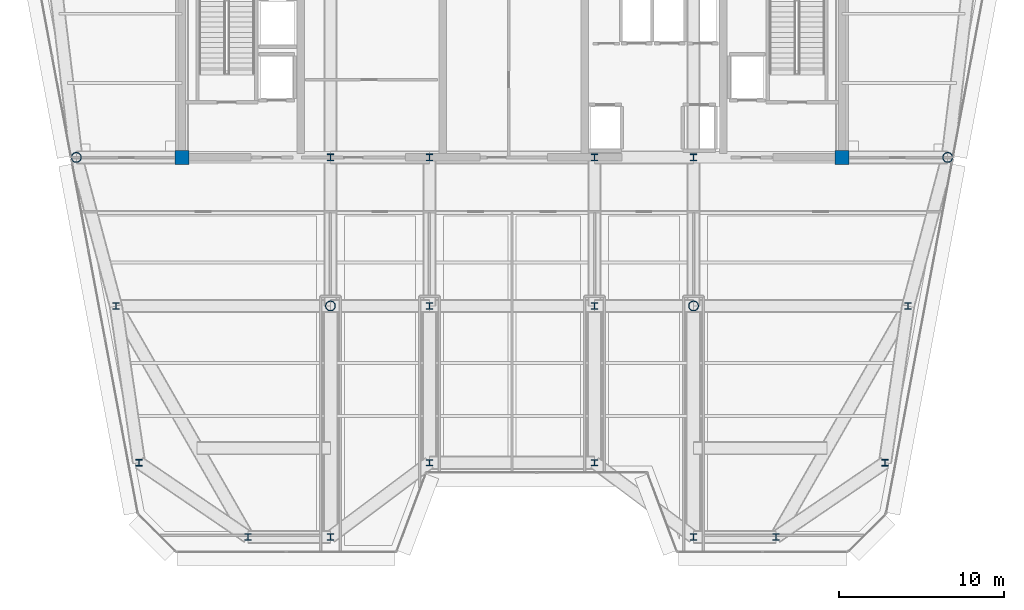
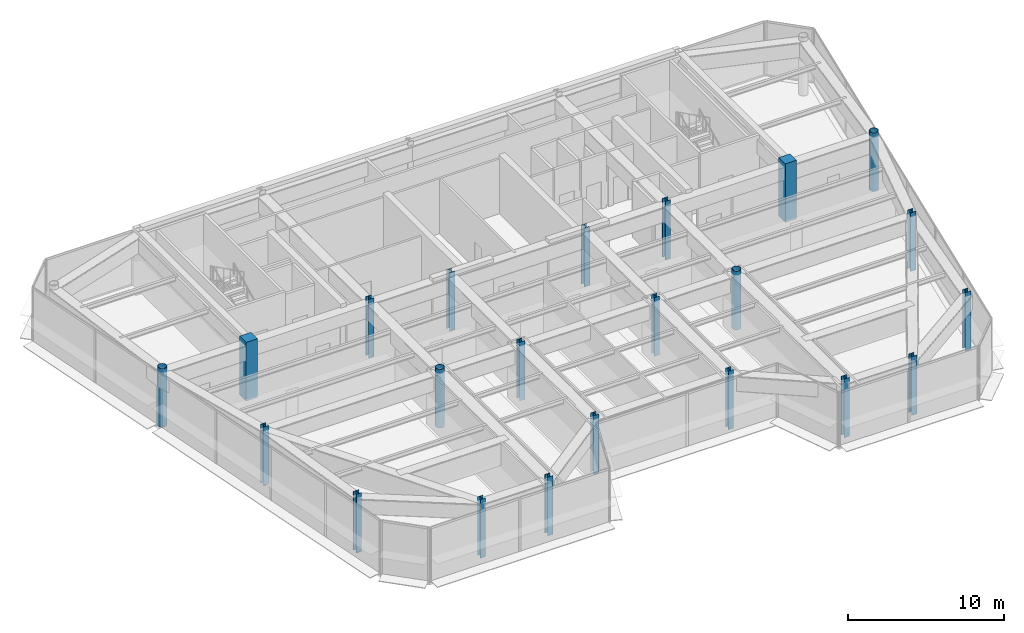
# One storey, part 1 of 20: 22 columns.
"""IFC4 building model written with IfcOpenShell, lengths in metres."""

from ifc_helpers import new_model, si_unit, direction, frame, origin, origin_2d, place, context, subcontext, project, spatial, rectangle, hollow_circle, i_section, extrude, source, transform, mapped, material, material_profile, profile_set, type_object, element, save


model = new_model("IFC4")

# Units and contexts
model_context = context("Model", 3, precision=1e-05, world=origin(), true_north=direction((0.0, 1.0)))
body_context = subcontext(model_context, "Body", "Model", "MODEL_VIEW")
ifc_project = project(units=[si_unit("LENGTHUNIT", "METRE"), si_unit("AREAUNIT", "SQUARE_METRE"), si_unit("VOLUMEUNIT", "CUBIC_METRE"), si_unit("PLANEANGLEUNIT", "RADIAN"), si_unit("MASSUNIT", "GRAM", prefix="KILO")], contexts=[model_context])

# Site, building, storey
site_placement = place(None, origin())
site = spatial("IfcSite", under=ifc_project, at=site_placement, CompositionType="ELEMENT")
building_placement = place(site_placement, origin())
building = spatial("IfcBuilding", under=site, at=building_placement, Name="Vaeldorn Concourse Tower", CompositionType="ELEMENT")
storey_placement = place(building_placement, frame((0.0, 0.0, 299.199951171875)))
storey = spatial("IfcBuildingStorey", under=building, at=storey_placement, Name="L77", CompositionType="ELEMENT", Elevation=299.199951171875)

# Columns
ifc_material_1 = material(Name="Concrete C50/60", Category="concrete")
ifc_material_profile_1 = material_profile(ifc_material_1, rectangle(XDim=0.85009765625, YDim=0.85009765625, at=origin_2d()), Name="RC 850x850")
ifc_profile_set_1 = profile_set([ifc_material_profile_1], Name="Concrete C50/60")
column_type_1 = type_object("IfcColumnType", Name="COL-RC850", PredefinedType="COLUMN", material=ifc_profile_set_1)
shared_shape_1 = source(origin(), body_context, "Body", "SweptSolid", [
    extrude(rectangle(XDim=0.85009765625, YDim=0.85009765625, at=origin_2d()), origin(), (0.0, 0.0, 1.0), 4.60009765625),
])
for number, where, z_axis, x_axis, name in (
    (1, (14.0, 36.5, 0.0), (0.0, 0.0, 1.0), (1.0, 0.0, 0.0), "Column C-FC1 L77"),
    (2, (54.0, 36.5, 0.0), (0.0, 0.0, 1.0), (1.0, 0.0, 0.0), "Column C-FC6 L77"),
):
    element("IfcColumn", number, at=place(storey_placement, frame(where, z_axis=z_axis, x_axis=x_axis)), inside=storey, type_object=column_type_1, Name=name, PredefinedType="COLUMN", context=body_context, shape_type="MappedRepresentation", body=[
        mapped(shared_shape_1, transform((0.0, 0.0, 0.0), scale=1.0)),
    ])
ifc_material_2 = material(Name="Steel S355", Category="steel")
ifc_material_profile_2 = material_profile(ifc_material_2, i_section(OverallWidth=0.406005859375, OverallDepth=0.416015625, WebThickness=0.02978515625, FlangeThickness=0.0419921875, FilletRadius=0.014892578125, at=origin_2d()), Name="HD 400x382")
ifc_profile_set_2 = profile_set([ifc_material_profile_2], Name="Steel S355")
column_type_2 = type_object("IfcColumnType", Name="COL-HD382", PredefinedType="COLUMN", material=ifc_profile_set_2)
shared_shape_2 = source(origin(), body_context, "Body", "SweptSolid", [
    extrude(i_section(OverallWidth=0.406005859375, OverallDepth=0.416015625, WebThickness=0.02978515625, FlangeThickness=0.0419921875, FilletRadius=0.014892578125, at=origin_2d()), origin(), (0.0, 0.0, 1.0), 4.60009765625),
])
for number, where, z_axis, x_axis, name in (
    (3, (23.0, 36.5, 0.0), (0.0, 0.0, 1.0), (1.0, 0.0, 0.0), "Column C-FC2 L77"),
    (4, (29.0, 36.5, 0.0), (0.0, 0.0, 1.0), (1.0, 0.0, 0.0), "Column C-FC3 L77"),
    (5, (39.0, 36.5, 0.0), (0.0, 0.0, 1.0), (1.0, 0.0, 0.0), "Column C-FC4 L77"),
    (6, (45.0, 36.5, 0.0), (0.0, 0.0, 1.0), (1.0, 0.0, 0.0), "Column C-FC5 L77"),
):
    element("IfcColumn", number, at=place(storey_placement, frame(where, z_axis=z_axis, x_axis=x_axis)), inside=storey, type_object=column_type_2, Name=name, PredefinedType="COLUMN", context=body_context, shape_type="MappedRepresentation", body=[
        mapped(shared_shape_2, transform((0.0, 0.0, 0.0), scale=1.0)),
    ])
ifc_material_profile_3 = material_profile(ifc_material_2, hollow_circle(Radius=0.304931640625, WallThickness=0.030029296875, at=origin_2d()), Name="CHS 610x30")
ifc_profile_set_3 = profile_set([ifc_material_profile_3], Name="Steel S355")
column_type_3 = type_object("IfcColumnType", Name="COL-CHS610", PredefinedType="COLUMN", material=ifc_profile_set_3)
shared_shape_3 = source(origin(), body_context, "Body", "SweptSolid", [
    extrude(hollow_circle(Radius=0.304931640625, WallThickness=0.030029296875, at=origin_2d()), origin(), (0.0, 0.0, 1.0), 4.60009765625),
])
for number, where, z_axis, x_axis, name in (
    (7, (7.60009765625, 36.5, 0.0), (0.0, 0.0, 1.0), (1.0, 0.0, 0.0), "Column C-NW2 L77"),
    (8, (60.39990234375, 36.5, 0.0), (0.0, 0.0, 1.0), (1.0, 0.0, 0.0), "Column C-NE2 L77"),
    (9, (23.0, 27.5, 0.0), (0.0, 0.0, 1.0), (1.0, 0.0, 0.0), "Column C-TW1 L77"),
    (10, (45.0, 27.5, 0.0), (0.0, 0.0, 1.0), (1.0, 0.0, 0.0), "Column C-TW4 L77"),
):
    element("IfcColumn", number, at=place(storey_placement, frame(where, z_axis=z_axis, x_axis=x_axis)), inside=storey, type_object=column_type_3, Name=name, PredefinedType="COLUMN", context=body_context, shape_type="MappedRepresentation", body=[
        mapped(shared_shape_3, transform((0.0, 0.0, 0.0), scale=1.0)),
    ])
ifc_material_profile_4 = material_profile(ifc_material_2, i_section(OverallWidth=0.40087890625, OverallDepth=0.39892578125, WebThickness=0.02490234375, FlangeThickness=0.034912109375, FilletRadius=0.014892578125, at=origin_2d()), Name="HD 400x314")
ifc_profile_set_4 = profile_set([ifc_material_profile_4], Name="Steel S355")
column_type_4 = type_object("IfcColumnType", Name="COL-HD314F", PredefinedType="COLUMN", material=ifc_profile_set_4)
shared_shape_4 = source(origin(), body_context, "Body", "SweptSolid", [
    extrude(i_section(OverallWidth=0.40087890625, OverallDepth=0.39892578125, WebThickness=0.02490234375, FlangeThickness=0.034912109375, FilletRadius=0.014892578125, at=origin_2d()), origin(), (0.0, 0.0, 1.0), 4.60009765625),
])
for number, where, z_axis, x_axis, name in (
    (11, (10.0, 27.5, 0.0), (0.0, 0.0, 1.0), (1.0, 0.0, 0.0), "Column C-FLW1 L77"),
    (12, (11.39990234375, 18.0, 0.0), (0.0, 0.0, 1.0), (1.0, 0.0, 0.0), "Column C-FLW2 L77"),
    (13, (58.0, 27.5, 0.0), (0.0, 0.0, 1.0), (1.0, 0.0, 0.0), "Column C-FLE1 L77"),
    (14, (56.60009765625, 18.0, 0.0), (0.0, 0.0, 1.0), (1.0, 0.0, 0.0), "Column C-FLE2 L77"),
):
    element("IfcColumn", number, at=place(storey_placement, frame(where, z_axis=z_axis, x_axis=x_axis)), inside=storey, type_object=column_type_4, Name=name, PredefinedType="COLUMN", context=body_context, shape_type="MappedRepresentation", body=[
        mapped(shared_shape_4, transform((0.0, 0.0, 0.0), scale=1.0)),
    ])
ifc_material_profile_5 = material_profile(ifc_material_2, i_section(OverallWidth=0.39794921875, OverallDepth=0.386962890625, WebThickness=0.0205078125, FlangeThickness=0.029052734375, FilletRadius=0.014892578125, at=origin_2d()), Name="HD 400x262")
ifc_profile_set_5 = profile_set([ifc_material_profile_5], Name="Steel S355")
column_type_5 = type_object("IfcColumnType", Name="COL-HD262T", PredefinedType="COLUMN", material=ifc_profile_set_5)
shared_shape_5 = source(origin(), body_context, "Body", "SweptSolid", [
    extrude(i_section(OverallWidth=0.39794921875, OverallDepth=0.386962890625, WebThickness=0.0205078125, FlangeThickness=0.029052734375, FilletRadius=0.014892578125, at=origin_2d()), origin(), (0.0, 0.0, 1.0), 4.60009765625),
])
for number, where, z_axis, x_axis, name in (
    (15, (29.0, 27.5, 0.0), (0.0, 0.0, 1.0), (1.0, 0.0, 0.0), "Column C-TW2 L77"),
    (16, (39.0, 27.5, 0.0), (0.0, 0.0, 1.0), (1.0, 0.0, 0.0), "Column C-TW3 L77"),
    (17, (18.0, 13.5, 0.0), (0.0, 0.0, 1.0), (1.0, 0.0, 0.0), "Column C-SF1 L77"),
    (18, (23.0, 13.5, 0.0), (0.0, 0.0, 1.0), (1.0, 0.0, 0.0), "Column C-SF2 L77"),
    (19, (29.0, 18.0, 0.0), (0.0, 0.0, 1.0), (1.0, 0.0, 0.0), "Column C-SF3 L77"),
    (20, (39.0, 18.0, 0.0), (0.0, 0.0, 1.0), (1.0, 0.0, 0.0), "Column C-SF4 L77"),
    (21, (45.0, 13.5, 0.0), (0.0, 0.0, 1.0), (1.0, 0.0, 0.0), "Column C-SF5 L77"),
    (22, (50.0, 13.5, 0.0), (0.0, 0.0, 1.0), (1.0, 0.0, 0.0), "Column C-SF6 L77"),
):
    element("IfcColumn", number, at=place(storey_placement, frame(where, z_axis=z_axis, x_axis=x_axis)), inside=storey, type_object=column_type_5, Name=name, PredefinedType="COLUMN", context=body_context, shape_type="MappedRepresentation", body=[
        mapped(shared_shape_5, transform((0.0, 0.0, 0.0), scale=1.0)),
    ])

save(model, "model.ifc")
